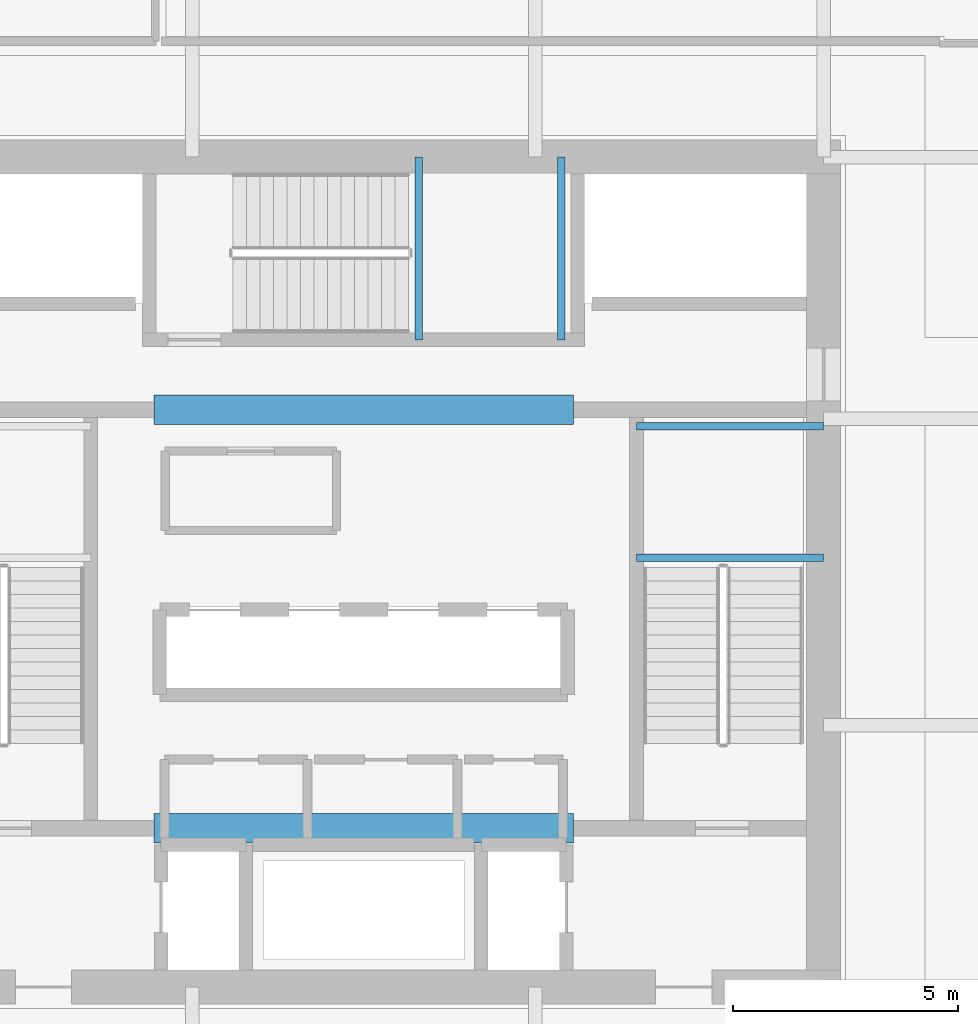
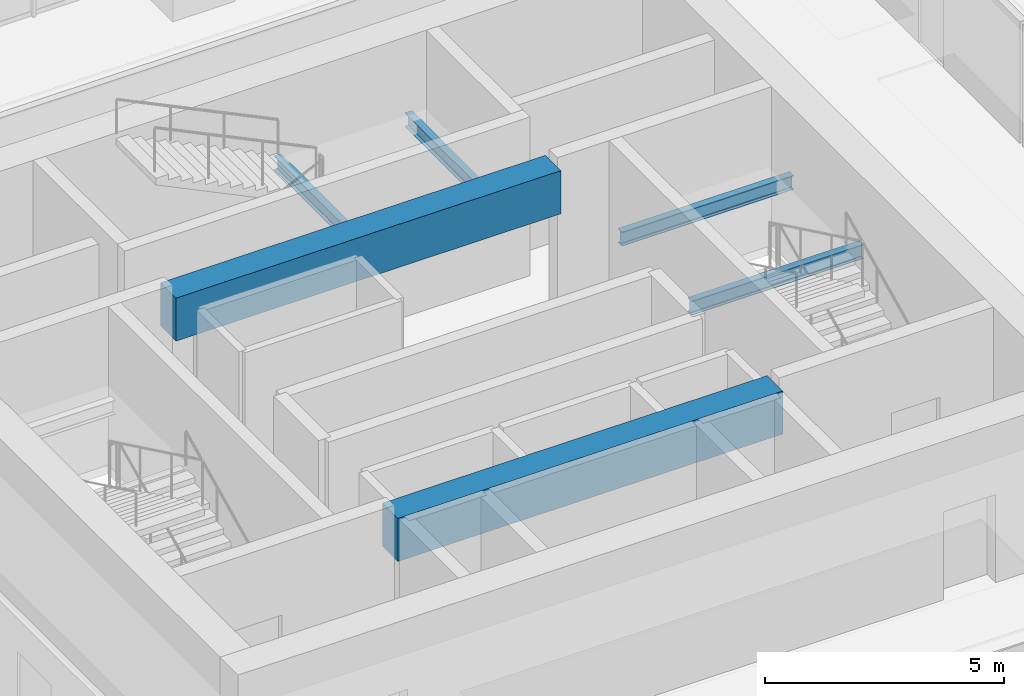
# One storey, part 11 of 34: 6 beams.
"""IFC4 building model written with IfcOpenShell, lengths in metres."""

from ifc_helpers import new_model, si_unit, direction, frame, origin, origin_2d, place, context, subcontext, project, spatial, rectangle, i_section, extrude, material, material_profile, profile_set, type_object, element, save


model = new_model("IFC4")

# Units and contexts
model_context = context("Model", 3, precision=1e-05, world=origin(), true_north=direction((0.0, 1.0)))
body_context = subcontext(model_context, "Body", "Model", "MODEL_VIEW")
ifc_project = project(units=[si_unit("LENGTHUNIT", "METRE"), si_unit("AREAUNIT", "SQUARE_METRE"), si_unit("VOLUMEUNIT", "CUBIC_METRE"), si_unit("PLANEANGLEUNIT", "RADIAN"), si_unit("MASSUNIT", "GRAM", prefix="KILO")], contexts=[model_context])

# Site, building, storey
site_placement = place(None, origin())
site = spatial("IfcSite", under=ifc_project, at=site_placement, CompositionType="ELEMENT")
building_placement = place(site_placement, origin())
building = spatial("IfcBuilding", under=site, at=building_placement, Name="Punatoya Terracotta Tower", CompositionType="ELEMENT")
storey_placement = place(building_placement, frame((0.0, 0.0, 84.89990234375)))
storey = spatial("IfcBuildingStorey", under=building, at=storey_placement, Name="L19", CompositionType="ELEMENT", Elevation=84.89990234375)

# Beams
ifc_material_1 = material(Name="Concrete C60/75", Category="concrete")
ifc_material_profile_1 = material_profile(ifc_material_1, rectangle(XDim=0.64990234375, YDim=1.10009765625, at=origin_2d()))
ifc_profile_set_1 = profile_set([ifc_material_profile_1], Name="Concrete C60/75")
beam_type_1 = type_object("IfcBeamType", Name="BM-RC-1100", PredefinedType="LINTEL", material=ifc_profile_set_1)
for number, where, z_axis, x_axis, name in (
    (1, (-4.64990234375, -5.679931640625, 3.260009765625), (1.0, 0.0, 0.0), (0.0, 1.0, 0.0), "L19 Core Coupling Lintel CSW"),
    (2, (-4.64990234375, 3.60009765625, 3.260009765625), (1.0, 0.0, 0.0), (0.0, 1.0, 0.0), "L19 Core Coupling Lintel CNW"),
):
    element("IfcBeam", number, at=place(storey_placement, frame(where, z_axis=z_axis, x_axis=x_axis)), inside=storey, type_object=beam_type_1, Name=name, PredefinedType="LINTEL", context=body_context, shape_type="SweptSolid", body=[
        extrude(rectangle(XDim=0.64990234375, YDim=1.10009765625, at=origin_2d()), origin(), (0.0, 0.0, 1.0), 9.2998046875),
    ])
ifc_material_2 = material(Name="Steel S355", Category="steel")
ifc_material_profile_2 = material_profile(ifc_material_2, i_section(OverallWidth=0.169921875, OverallDepth=0.360107421875, WebThickness=0.008056640625, FlangeThickness=0.0126953125, FilletRadius=0.01806640625, at=origin_2d()))
ifc_profile_set_2 = profile_set([ifc_material_profile_2], Name="Steel S355")
beam_type_2 = type_object("IfcBeamType", Name="BM-SEC-360", PredefinedType="JOIST", material=ifc_profile_set_2)
for number, where, z_axis, x_axis, name in (
    (3, (6.050048828125, 0.320068359375, 1.64501953125), (1.0, 0.0, 0.0), (0.0, 1.0, 0.0), "BM-L19-ST-2-LD1A"),
    (4, (6.050048828125, 3.22998046875, 1.64501953125), (1.0, 0.0, 0.0), (0.0, 1.0, 0.0), "BM-L19-ST-2-LD1B"),
):
    element("IfcBeam", number, at=place(storey_placement, frame(where, z_axis=z_axis, x_axis=x_axis)), inside=storey, type_object=beam_type_2, Name=name, PredefinedType="JOIST", context=body_context, shape_type="SweptSolid", body=[
        extrude(i_section(OverallWidth=0.169921875, OverallDepth=0.360107421875, WebThickness=0.008056640625, FlangeThickness=0.0126953125, FilletRadius=0.01806640625, at=origin_2d()), origin(), (0.0, 0.0, 1.0), 4.14990234375),
    ])
for number, where, z_axis, x_axis, name in (
    (5, (1.219970703125, 5.14990234375, 1.64501953125), (0.0, 1.0, 0.0), (-1.0, 0.0, 0.0), "BM-L19-ST-3-LD1A"),
    (6, (4.3798828125, 5.14990234375, 1.64501953125), (0.0, 1.0, 0.0), (-1.0, 0.0, 0.0), "BM-L19-ST-3-LD1B"),
):
    element("IfcBeam", number, at=place(storey_placement, frame(where, z_axis=z_axis, x_axis=x_axis)), inside=storey, type_object=beam_type_2, Name=name, PredefinedType="JOIST", context=body_context, shape_type="SweptSolid", body=[
        extrude(i_section(OverallWidth=0.169921875, OverallDepth=0.360107421875, WebThickness=0.008056640625, FlangeThickness=0.0126953125, FilletRadius=0.01806640625, at=origin_2d()), origin(), (0.0, 0.0, 1.0), 4.050048828125),
    ])

save(model, "model.ifc")
